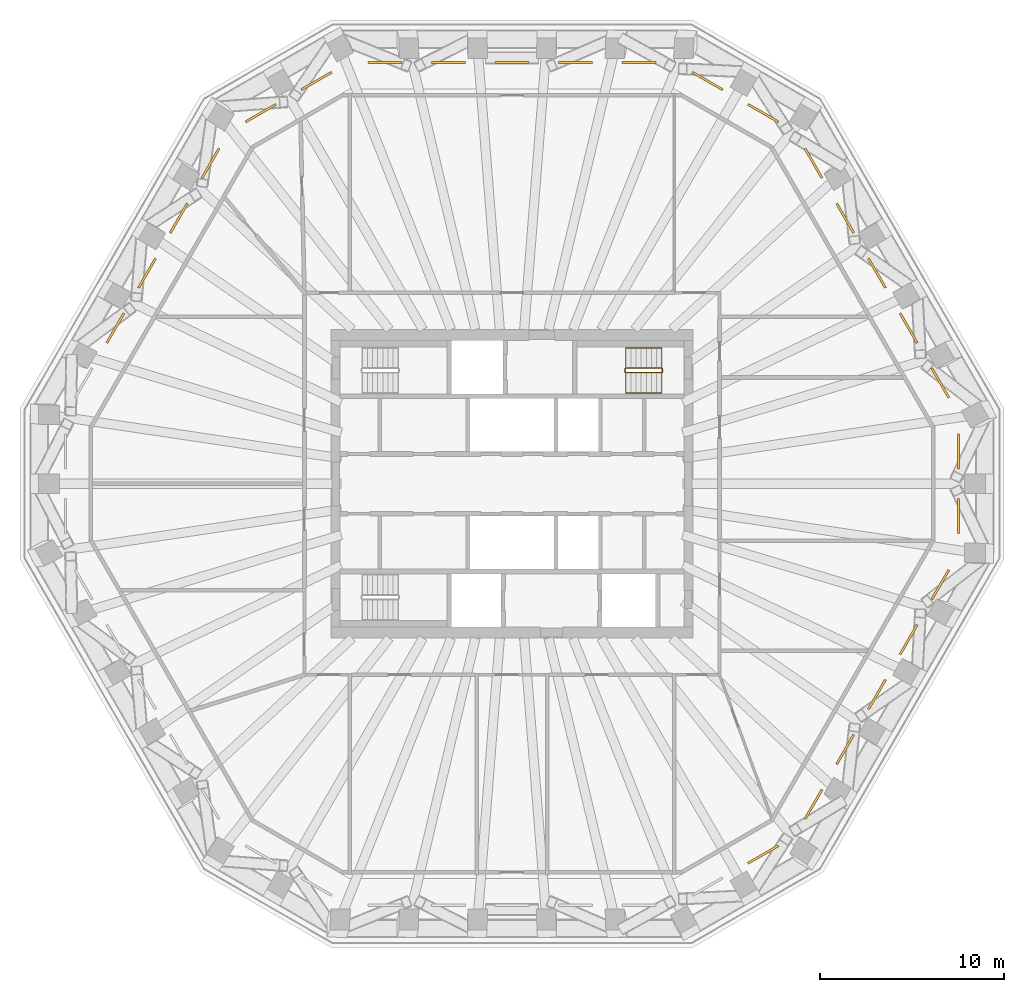
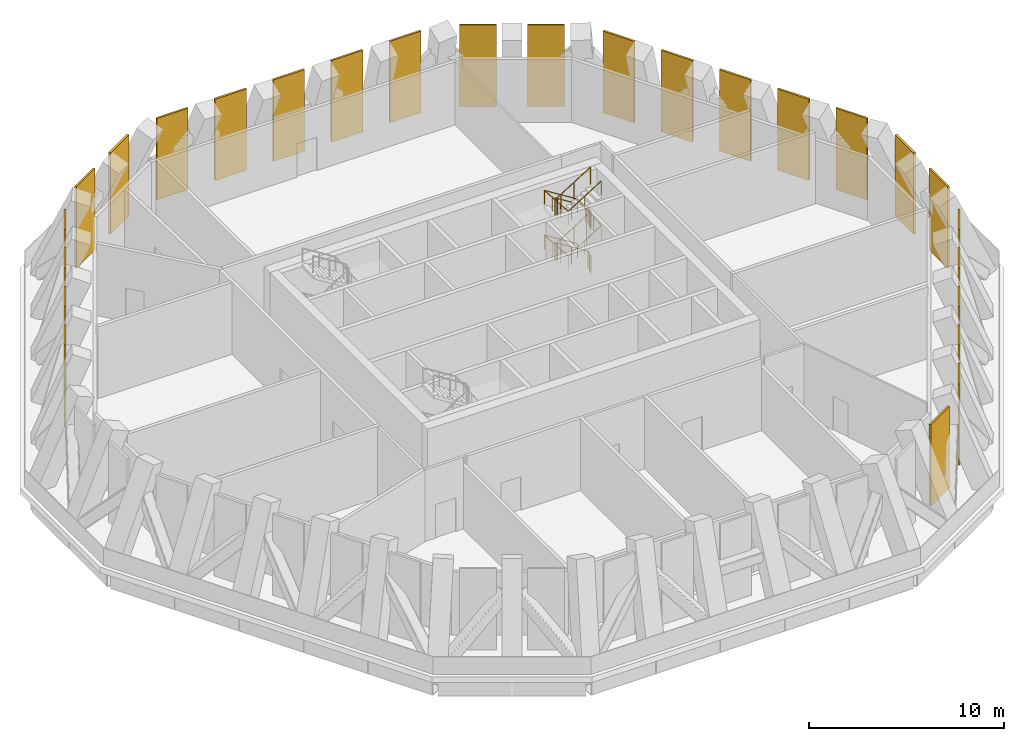
# One storey, part 8 of 8: 26 coverings, 2 railings.
"""IFC4 building model written with IfcOpenShell, lengths in metres."""

from ifc_helpers import new_model, si_unit, direction, frame, origin, origin_2d, place, context, subcontext, project, spatial, polyline, circle, outline, extrude, material, layer, layer_set, type_object, element, save


model = new_model("IFC4")

# Units and contexts
model_context = context("Model", 3, precision=1e-05, world=origin(), true_north=direction((0.0, 1.0)))
body_context = subcontext(model_context, "Body", "Model", "MODEL_VIEW")
ifc_project = project(units=[si_unit("LENGTHUNIT", "METRE"), si_unit("AREAUNIT", "SQUARE_METRE"), si_unit("VOLUMEUNIT", "CUBIC_METRE"), si_unit("PLANEANGLEUNIT", "RADIAN"), si_unit("MASSUNIT", "GRAM", prefix="KILO")], contexts=[model_context])

# Site, building, storey
site_placement = place(None, origin())
site = spatial("IfcSite", under=ifc_project, at=site_placement, CompositionType="ELEMENT")
building_placement = place(site_placement, origin())
building = spatial("IfcBuilding", under=site, at=building_placement, Name="Frailejon Research Tower", CompositionType="ELEMENT")
storey_placement = place(building_placement, frame((0.0, 0.0, 257.39990234375)))
storey = spatial("IfcBuildingStorey", under=building, at=storey_placement, Name="L56", CompositionType="ELEMENT", Elevation=257.39990234375)

# Coverings
ifc_material_1 = material(Name="Anodised aluminium louvres", Category="aluminium")
ifc_layer = layer(ifc_material_1, 0.1201171875)
ifc_layer_set = layer_set([ifc_layer], Name="Plant louvre screen 120")
covering_type = type_object("IfcCoveringType", Name="Plant louvre screen 120", PredefinedType="CLADDING", material=ifc_layer_set)
for number, where, z_axis, x_axis, name in (
    (1, (24.373779296875, -0.800048828125, 0.0), (0.0, -1.0, 0.0), (1.0, 0.0, 0.0), "Plant louvre screen L56"),
    (2, (24.373779296875, 2.701904296875, 0.0), (0.0, -1.0, 0.0), (1.0, 0.0, 0.0), "Plant louvre screen L56"),
):
    element("IfcCovering", number, at=place(storey_placement, frame(where, z_axis=z_axis, x_axis=x_axis)), inside=storey, type_object=covering_type, Name=name, PredefinedType="CLADDING", context=body_context, shape_type="SweptSolid", body=[
        extrude(outline(polyline([(-0.1201171875, 0.0), (0.0, 0.0), (0.0, 5.10009765625), (-0.1201171875, 5.10009765625), (-0.1201171875, 0.0)])), origin(), (0.0, 0.0, 1.0), 1.902099609375),
    ])
for number, where, z_axis, x_axis, name in (
    (3, (22.9072265625, 6.323486328125, 0.0), (0.499996648023, -0.86602733904, 0.0), (0.86602733904, 0.499996648023, 0.0), "Plant louvre screen L56"),
    (4, (21.181396484375, 9.3125, 0.0), (0.499996648023, -0.86602733904, 0.0), (0.86602733904, 0.499996648023, 0.0), "Plant louvre screen L56"),
):
    element("IfcCovering", number, at=place(storey_placement, frame(where, z_axis=z_axis, x_axis=x_axis)), inside=storey, type_object=covering_type, Name=name, PredefinedType="CLADDING", context=body_context, shape_type="SweptSolid", body=[
        extrude(outline(polyline([(-0.1201171875, 0.0), (0.0, 0.0), (0.0, 5.10009765625), (-0.1201171875, 5.10009765625), (-0.1201171875, 0.0)])), origin(), (0.0, 0.0, 1.0), 1.8515625),
    ])
covering_1_placement = place(storey_placement, frame((19.45556640625, 12.3017578125, 0.0), z_axis=(0.500018376809, -0.866014793669, 0.0), x_axis=(0.866014793669, 0.500018376809, 0.0)))
element("IfcCovering", 5, at=covering_1_placement, inside=storey, type_object=covering_type, Name="Plant louvre screen L56", PredefinedType="CLADDING", context=body_context, shape_type="SweptSolid", body=[
    extrude(outline(polyline([(-0.1201171875, 0.0), (0.0, 0.0), (0.0, 5.10009765625), (-0.1201171875, 5.10009765625), (-0.1201171875, 0.0)])), origin(), (0.0, 0.0, 1.0), 1.851806640625),
])
for number, where, z_axis, x_axis, name in (
    (6, (17.729736328125, 15.291015625, 0.0), (0.499996648023, -0.86602733904, 0.0), (0.86602733904, 0.499996648023, 0.0), "Plant louvre screen L56"),
    (7, (16.00390625, 18.2802734375, 0.0), (0.499996648023, -0.86602733904, 0.0), (0.86602733904, 0.499996648023, 0.0), "Plant louvre screen L56"),
):
    element("IfcCovering", number, at=place(storey_placement, frame(where, z_axis=z_axis, x_axis=x_axis)), inside=storey, type_object=covering_type, Name=name, PredefinedType="CLADDING", context=body_context, shape_type="SweptSolid", body=[
        extrude(outline(polyline([(-0.1201171875, 0.0), (0.0, 0.0), (0.0, 5.10009765625), (-0.1201171875, 5.10009765625), (-0.1201171875, 0.0)])), origin(), (0.0, 0.0, 1.0), 1.8515625),
    ])
for number, where, z_axis, x_axis, name in (
    (8, (12.879638671875, 20.708251953125, 0.0), (0.866023907216, -0.500002592124, 0.0), (0.500002592124, 0.866023907216, 0.0), "Plant louvre screen L56"),
    (9, (9.846923828125, 22.459228515625, 0.0), (0.866023907216, -0.500002592124, 0.0), (0.500002592124, 0.866023907216, 0.0), "Plant louvre screen L56"),
):
    element("IfcCovering", number, at=place(storey_placement, frame(where, z_axis=z_axis, x_axis=x_axis)), inside=storey, type_object=covering_type, Name=name, PredefinedType="CLADDING", context=body_context, shape_type="SweptSolid", body=[
        extrude(outline(polyline([(-0.1201171875, 0.0), (0.0, 0.0), (0.0, 5.10009765625), (-0.1201171875, 5.10009765625), (-0.1201171875, 0.0)])), origin(), (0.0, 0.0, 1.0), 1.902099609375),
    ])
covering_2_placement = place(storey_placement, frame((5.9775390625, 23.0, 0.0), z_axis=(1.0, 0.0, 0.0), x_axis=(0.0, 1.0, 0.0)))
element("IfcCovering", 10, at=covering_2_placement, inside=storey, type_object=covering_type, Name="Plant louvre screen L56", PredefinedType="CLADDING", context=body_context, shape_type="SweptSolid", body=[
    extrude(outline(polyline([(-0.1201171875, 0.0), (0.0, 0.0), (0.0, 5.10009765625), (-0.1201171875, 5.10009765625), (-0.1201171875, 0.0)])), origin(), (0.0, 0.0, 1.0), 1.8515625),
])
covering_3_placement = place(storey_placement, frame((2.52587890625, 23.0, 0.0), z_axis=(1.0, 0.0, 0.0), x_axis=(0.0, 1.0, 0.0)))
element("IfcCovering", 11, at=covering_3_placement, inside=storey, type_object=covering_type, Name="Plant louvre screen L56", PredefinedType="CLADDING", context=body_context, shape_type="SweptSolid", body=[
    extrude(outline(polyline([(-0.1201171875, 0.0), (0.0, 0.0), (0.0, 5.10009765625), (-0.1201171875, 5.10009765625), (-0.1201171875, 0.0)])), origin(), (0.0, 0.0, 1.0), 1.851806640625),
])
covering_4_placement = place(storey_placement, frame((-0.92578125, 23.0, 0.0), z_axis=(1.0, 0.0, 0.0), x_axis=(0.0, 1.0, 0.0)))
element("IfcCovering", 12, at=covering_4_placement, inside=storey, type_object=covering_type, Name="Plant louvre screen L56", PredefinedType="CLADDING", context=body_context, shape_type="SweptSolid", body=[
    extrude(outline(polyline([(-0.1201171875, 0.0), (0.0, 0.0), (0.0, 5.10009765625), (-0.1201171875, 5.10009765625), (-0.1201171875, 0.0)])), origin(), (0.0, 0.0, 1.0), 1.8515625),
])
covering_5_placement = place(storey_placement, frame((-4.37744140625, 23.0, 0.0), z_axis=(1.0, 0.0, 0.0), x_axis=(0.0, 1.0, 0.0)))
element("IfcCovering", 13, at=covering_5_placement, inside=storey, type_object=covering_type, Name="Plant louvre screen L56", PredefinedType="CLADDING", context=body_context, shape_type="SweptSolid", body=[
    extrude(outline(polyline([(-0.1201171875, 0.0), (0.0, 0.0), (0.0, 5.10009765625), (-0.1201171875, 5.10009765625), (-0.1201171875, 0.0)])), origin(), (0.0, 0.0, 1.0), 1.851806640625),
])
covering_6_placement = place(storey_placement, frame((-7.8291015625, 23.0, 0.0), z_axis=(1.0, 0.0, 0.0), x_axis=(0.0, 1.0, 0.0)))
element("IfcCovering", 14, at=covering_6_placement, inside=storey, type_object=covering_type, Name="Plant louvre screen L56", PredefinedType="CLADDING", context=body_context, shape_type="SweptSolid", body=[
    extrude(outline(polyline([(-0.1201171875, 0.0), (0.0, 0.0), (0.0, 5.10009765625), (-0.1201171875, 5.10009765625), (-0.1201171875, 0.0)])), origin(), (0.0, 0.0, 1.0), 1.8515625),
])
for number, where, z_axis, x_axis, name in (
    (15, (-11.494140625, 21.50830078125, 0.0), (0.866023907216, 0.500002592124, 0.0), (-0.500002592124, 0.866023907216, 0.0), "Plant louvre screen L56"),
    (16, (-14.52685546875, 19.75732421875, 0.0), (0.866023907216, 0.500002592124, 0.0), (-0.500002592124, 0.866023907216, 0.0), "Plant louvre screen L56"),
):
    element("IfcCovering", number, at=place(storey_placement, frame(where, z_axis=z_axis, x_axis=x_axis)), inside=storey, type_object=covering_type, Name=name, PredefinedType="CLADDING", context=body_context, shape_type="SweptSolid", body=[
        extrude(outline(polyline([(-0.1201171875, 0.0), (0.0, 0.0), (0.0, 5.10009765625), (-0.1201171875, 5.10009765625), (-0.1201171875, 0.0)])), origin(), (0.0, 0.0, 1.0), 1.902099609375),
    ])
for number, where, z_axis, x_axis, name in (
    (17, (-16.9296875, 16.676513671875, 0.0), (0.499996648023, 0.86602733904, 0.0), (-0.86602733904, 0.499996648023, 0.0), "Plant louvre screen L56"),
    (18, (-18.655517578125, 13.6875, 0.0), (0.499996648023, 0.86602733904, 0.0), (-0.86602733904, 0.499996648023, 0.0), "Plant louvre screen L56"),
):
    element("IfcCovering", number, at=place(storey_placement, frame(where, z_axis=z_axis, x_axis=x_axis)), inside=storey, type_object=covering_type, Name=name, PredefinedType="CLADDING", context=body_context, shape_type="SweptSolid", body=[
        extrude(outline(polyline([(-0.1201171875, 0.0), (0.0, 0.0), (0.0, 5.10009765625), (-0.1201171875, 5.10009765625), (-0.1201171875, 0.0)])), origin(), (0.0, 0.0, 1.0), 1.8515625),
    ])
covering_7_placement = place(storey_placement, frame((-20.381591796875, 10.6982421875, 0.0), z_axis=(0.500018376809, 0.866014793669, 0.0), x_axis=(-0.866014793669, 0.500018376809, 0.0)))
element("IfcCovering", 19, at=covering_7_placement, inside=storey, type_object=covering_type, Name="Plant louvre screen L56", PredefinedType="CLADDING", context=body_context, shape_type="SweptSolid", body=[
    extrude(outline(polyline([(-0.1201171875, 0.0), (0.0, 0.0), (0.0, 5.10009765625), (-0.1201171875, 5.10009765625), (-0.1201171875, 0.0)])), origin(), (0.0, 0.0, 1.0), 1.851806640625),
])
covering_8_placement = place(storey_placement, frame((-22.107421875, 7.708984375, 0.0), z_axis=(0.499996648023, 0.86602733904, 0.0), x_axis=(-0.86602733904, 0.499996648023, 0.0)))
element("IfcCovering", 20, at=covering_8_placement, inside=storey, type_object=covering_type, Name="Plant louvre screen L56", PredefinedType="CLADDING", context=body_context, shape_type="SweptSolid", body=[
    extrude(outline(polyline([(-0.1201171875, 0.0), (0.0, 0.0), (0.0, 5.10009765625), (-0.1201171875, 5.10009765625), (-0.1201171875, 0.0)])), origin(), (0.0, 0.0, 1.0), 1.8515625),
])
covering_9_placement = place(storey_placement, frame((14.52685546875, -19.75732421875, 0.0), z_axis=(-0.866023907216, -0.500002592124, 0.0), x_axis=(0.500002592124, -0.866023907216, 0.0)))
element("IfcCovering", 21, at=covering_9_placement, inside=storey, type_object=covering_type, Name="Plant louvre screen L56", PredefinedType="CLADDING", context=body_context, shape_type="SweptSolid", body=[
    extrude(outline(polyline([(-0.1201171875, 0.0), (0.0, 0.0), (0.0, 5.10009765625), (-0.1201171875, 5.10009765625), (-0.1201171875, 0.0)])), origin(), (0.0, 0.0, 1.0), 1.902099609375),
])
for number, where, z_axis, x_axis, name in (
    (22, (16.9296875, -16.676513671875, 0.0), (-0.499996648023, -0.86602733904, 0.0), (0.86602733904, -0.499996648023, 0.0), "Plant louvre screen L56"),
    (23, (18.655517578125, -13.6875, 0.0), (-0.499996648023, -0.86602733904, 0.0), (0.86602733904, -0.499996648023, 0.0), "Plant louvre screen L56"),
):
    element("IfcCovering", number, at=place(storey_placement, frame(where, z_axis=z_axis, x_axis=x_axis)), inside=storey, type_object=covering_type, Name=name, PredefinedType="CLADDING", context=body_context, shape_type="SweptSolid", body=[
        extrude(outline(polyline([(-0.1201171875, 0.0), (0.0, 0.0), (0.0, 5.10009765625), (-0.1201171875, 5.10009765625), (-0.1201171875, 0.0)])), origin(), (0.0, 0.0, 1.0), 1.8515625),
    ])
covering_10_placement = place(storey_placement, frame((20.381591796875, -10.6982421875, 0.0), z_axis=(-0.500018376809, -0.866014793669, 0.0), x_axis=(0.866014793669, -0.500018376809, 0.0)))
element("IfcCovering", 24, at=covering_10_placement, inside=storey, type_object=covering_type, Name="Plant louvre screen L56", PredefinedType="CLADDING", context=body_context, shape_type="SweptSolid", body=[
    extrude(outline(polyline([(-0.1201171875, 0.0), (0.0, 0.0), (0.0, 5.10009765625), (-0.1201171875, 5.10009765625), (-0.1201171875, 0.0)])), origin(), (0.0, 0.0, 1.0), 1.851806640625),
])
for number, where, z_axis, x_axis, name in (
    (25, (22.107421875, -7.708984375, 0.0), (-0.499996648023, -0.86602733904, 0.0), (0.86602733904, -0.499996648023, 0.0), "Plant louvre screen L56"),
    (26, (23.8330078125, -4.7197265625, 0.0), (-0.499996648023, -0.86602733904, 0.0), (0.86602733904, -0.499996648023, 0.0), "Plant louvre screen L56"),
):
    element("IfcCovering", number, at=place(storey_placement, frame(where, z_axis=z_axis, x_axis=x_axis)), inside=storey, type_object=covering_type, Name=name, PredefinedType="CLADDING", context=body_context, shape_type="SweptSolid", body=[
        extrude(outline(polyline([(-0.1201171875, 0.0), (0.0, 0.0), (0.0, 5.10009765625), (-0.1201171875, 5.10009765625), (-0.1201171875, 0.0)])), origin(), (0.0, 0.0, 1.0), 1.8515625),
    ])

# Railings
ifc_material_2 = material(Name="Stainless steel", Category="steel")
railing_type_1 = type_object("IfcRailingType", Name="Stair guard 1100", PredefinedType="GUARDRAIL", material=ifc_material_2)
railing_1_placement = place(storey_placement, frame((8.199951171875, 6.10009765625, 0.0)))
element("IfcRailing", 27, at=railing_1_placement, inside=storey, type_object=railing_type_1, Name="L56 ST3 stair guard 1", PredefinedType="GUARDRAIL", context=body_context, shape_type="SweptSolid", body=[
    extrude(circle(Radius=0.02392578125, at=origin_2d()), frame((0.0, 0.0, 1.076171875), z_axis=(0.0, 1.0, 0.0), x_axis=(-1.0, 0.0, 0.0)), (0.0, 0.0, 1.0), 0.14990234375),
    extrude(circle(Radius=0.02392578125, at=origin_2d()), frame((0.0, 0.14990234375, 1.076171875), z_axis=(-0.265065253269, 0.265065253269, 0.927081885822), x_axis=(-0.707106781187, -0.707106781187, 0.0)), (0.0, 0.0, 1.0), 0.188720703125),
    extrude(circle(Radius=0.02392578125, at=origin_2d()), frame((-0.050048828125, 0.199951171875, 1.2509765625), z_axis=(-0.847974566722, 0.0, 0.530036917764), x_axis=(0.0, -1.0, 0.0)), (0.0, 0.0, 1.0), 2.311279296875),
    extrude(circle(Radius=0.02392578125, at=origin_2d()), frame((-2.010009765625, 0.199951171875, 2.47607421875), z_axis=(-0.707106781187, -0.707106781187, 0.0), x_axis=(0.707106781187, -0.707106781187, 0.0)), (0.0, 0.0, 1.0), 0.07080078125),
    extrude(circle(Radius=0.02392578125, at=origin_2d()), frame((-2.06005859375, 0.14990234375, 2.47607421875), z_axis=(0.0, -1.0, 0.0), x_axis=(1.0, 0.0, 0.0)), (0.0, 0.0, 1.0), 0.14990234375),
    extrude(circle(Radius=0.02392578125, at=origin_2d()), frame((-2.06005859375, 0.0, 2.47607421875), z_axis=(0.265065253269, -0.265065253269, 0.927081885822), x_axis=(0.707106781187, 0.707106781187, 0.0)), (0.0, 0.0, 1.0), 0.188720703125),
    extrude(circle(Radius=0.02392578125, at=origin_2d()), frame((-2.010009765625, -0.050048828125, 2.6513671875), z_axis=(0.848022040916, 0.0, 0.529960959053), x_axis=(0.0, 1.0, 0.0)), (0.0, 0.0, 1.0), 2.311279296875),
    extrude(circle(Radius=0.02392578125, at=origin_2d()), frame((-0.050048828125, -0.050048828125, 3.8759765625), z_axis=(0.707106781187, 0.707106781187, 0.0), x_axis=(-0.707106781187, 0.707106781187, 0.0)), (0.0, 0.0, 1.0), 0.07080078125),
    extrude(circle(Radius=0.02392578125, at=origin_2d()), frame((0.0, 0.0, 3.8759765625), z_axis=(0.0, 1.0, 0.0), x_axis=(-1.0, 0.0, 0.0)), (0.0, 0.0, 1.0), 0.14990234375),
    extrude(circle(Radius=0.02392578125, at=origin_2d()), frame((0.0, 0.14990234375, 3.8759765625), z_axis=(-0.265065253269, 0.265065253269, 0.927081885822), x_axis=(-0.707106781187, -0.707106781187, 0.0)), (0.0, 0.0, 1.0), 0.188720703125),
    extrude(circle(Radius=0.02392578125, at=origin_2d()), frame((-0.050048828125, 0.199951171875, 4.05126953125), z_axis=(-0.847974566722, 0.0, 0.530036917764), x_axis=(0.0, -1.0, 0.0)), (0.0, 0.0, 1.0), 2.311279296875),
    extrude(circle(Radius=0.02392578125, at=origin_2d()), frame((-2.010009765625, 0.199951171875, 5.2763671875), z_axis=(-0.707106781187, -0.707106781187, 0.0), x_axis=(0.707106781187, -0.707106781187, 0.0)), (0.0, 0.0, 1.0), 0.07080078125),
    extrude(circle(Radius=0.02392578125, at=origin_2d()), frame((-2.06005859375, 0.14990234375, 5.2763671875), z_axis=(0.0, -1.0, 0.0), x_axis=(1.0, 0.0, 0.0)), (0.0, 0.0, 1.0), 0.14990234375),
    extrude(circle(Radius=0.02392578125, at=origin_2d()), frame((-2.06005859375, 0.0, 5.2763671875), z_axis=(0.265383341853, -0.265383341853, 0.926899867156), x_axis=(0.707106781187, 0.707106781187, 0.0)), (0.0, 0.0, 1.0), 0.1884765625),
    extrude(circle(Radius=0.02392578125, at=origin_2d()), frame((-2.010009765625, -0.050048828125, 5.451171875), z_axis=(0.847974566722, 0.0, 0.530036917764), x_axis=(0.0, 1.0, 0.0)), (0.0, 0.0, 1.0), 2.311279296875),
    extrude(circle(Radius=0.02099609375, at=origin_2d()), origin(), (0.0, 0.0, 1.0), 1.052001953125),
    extrude(circle(Radius=0.02099609375, at=origin_2d()), frame((0.0, 0.14990234375, 0.0)), (0.0, 0.0, 1.0), 1.052001953125),
    extrude(circle(Radius=0.02099609375, at=origin_2d()), frame((-0.050048828125, 0.199951171875, 0.175048828125)), (0.0, 0.0, 1.0), 1.052001953125),
    extrude(circle(Radius=0.02099609375, at=origin_2d()), frame((-1.030029296875, 0.199951171875, 0.78759765625)), (0.0, 0.0, 1.0), 1.052001953125),
    extrude(circle(Radius=0.02099609375, at=origin_2d()), frame((-2.010009765625, 0.199951171875, 1.400146484375)), (0.0, 0.0, 1.0), 1.052001953125),
    extrude(circle(Radius=0.02099609375, at=origin_2d()), frame((-2.06005859375, 0.14990234375, 1.400146484375)), (0.0, 0.0, 1.0), 1.052001953125),
    extrude(circle(Radius=0.02099609375, at=origin_2d()), frame((-2.06005859375, 0.0, 1.400146484375)), (0.0, 0.0, 1.0), 1.052001953125),
    extrude(circle(Radius=0.02099609375, at=origin_2d()), frame((-2.010009765625, -0.050048828125, 1.5751953125)), (0.0, 0.0, 1.0), 1.052001953125),
    extrude(circle(Radius=0.02099609375, at=origin_2d()), frame((-1.030029296875, -0.050048828125, 2.1875)), (0.0, 0.0, 1.0), 1.052001953125),
    extrude(circle(Radius=0.02099609375, at=origin_2d()), frame((-0.050048828125, -0.050048828125, 2.800048828125)), (0.0, 0.0, 1.0), 1.052001953125),
    extrude(circle(Radius=0.02099609375, at=origin_2d()), frame((0.0, 0.0, 2.800048828125)), (0.0, 0.0, 1.0), 1.052001953125),
    extrude(circle(Radius=0.02099609375, at=origin_2d()), frame((0.0, 0.14990234375, 2.800048828125)), (0.0, 0.0, 1.0), 1.052001953125),
    extrude(circle(Radius=0.02099609375, at=origin_2d()), frame((-0.050048828125, 0.199951171875, 2.97509765625)), (0.0, 0.0, 1.0), 1.052001953125),
    extrude(circle(Radius=0.02099609375, at=origin_2d()), frame((-1.030029296875, 0.199951171875, 3.587646484375)), (0.0, 0.0, 1.0), 1.052001953125),
    extrude(circle(Radius=0.02099609375, at=origin_2d()), frame((-2.010009765625, 0.199951171875, 4.2001953125)), (0.0, 0.0, 1.0), 1.052001953125),
    extrude(circle(Radius=0.02099609375, at=origin_2d()), frame((-2.06005859375, 0.14990234375, 4.2001953125)), (0.0, 0.0, 1.0), 1.052001953125),
    extrude(circle(Radius=0.02099609375, at=origin_2d()), frame((-2.06005859375, 0.0, 4.2001953125)), (0.0, 0.0, 1.0), 1.052001953125),
    extrude(circle(Radius=0.02099609375, at=origin_2d()), frame((-2.010009765625, -0.050048828125, 4.375)), (0.0, 0.0, 1.0), 1.052001953125),
    extrude(circle(Radius=0.02099609375, at=origin_2d()), frame((-1.030029296875, -0.050048828125, 4.987548828125)), (0.0, 0.0, 1.0), 1.052001953125),
    extrude(circle(Radius=0.02099609375, at=origin_2d()), frame((-0.050048828125, -0.050048828125, 5.60009765625)), (0.0, 0.0, 1.0), 1.052001953125),
])
ifc_material_3 = material(Name="Stainless steel", Category="steel")
railing_type_2 = type_object("IfcRailingType", Name="Stair handrail 900", PredefinedType="HANDRAIL", material=ifc_material_3)
railing_2_placement = place(storey_placement, frame((8.14990234375, 7.39990234375, 0.175048828125)))
element("IfcRailing", 28, at=railing_2_placement, inside=storey, type_object=railing_type_2, Name="L56 ST3 stair handrail 1", PredefinedType="HANDRAIL", context=body_context, shape_type="SweptSolid", body=[
    extrude(circle(Radius=0.02392578125, at=origin_2d()), frame((0.0, 0.0, 0.8759765625), z_axis=(-0.847974566722, 0.0, 0.530036917764), x_axis=(0.0, -1.0, 0.0)), (0.0, 0.0, 1.0), 2.311279296875),
    extrude(circle(Radius=0.02392578125, at=origin_2d()), frame((-1.9599609375, 0.0, 2.10107421875), z_axis=(0.0, -0.997457185933, 0.071268241387), x_axis=(1.0, 0.0, 0.0)), (0.0, 0.0, 1.0), 2.456298828125),
    extrude(circle(Radius=0.02392578125, at=origin_2d()), frame((-1.9599609375, -2.449951171875, 2.27587890625), z_axis=(0.848022040916, 0.0, 0.529960959053), x_axis=(0.0, 1.0, 0.0)), (0.0, 0.0, 1.0), 2.311279296875),
    extrude(circle(Radius=0.02392578125, at=origin_2d()), frame((0.0, -2.449951171875, 3.5009765625), z_axis=(0.0, 0.997457185933, 0.071268241387), x_axis=(-1.0, 0.0, 0.0)), (0.0, 0.0, 1.0), 2.456298828125),
    extrude(circle(Radius=0.02392578125, at=origin_2d()), frame((0.0, 0.0, 3.67578125), z_axis=(-0.847974566722, 0.0, 0.530036917764), x_axis=(0.0, -1.0, 0.0)), (0.0, 0.0, 1.0), 2.311279296875),
    extrude(circle(Radius=0.02392578125, at=origin_2d()), frame((-1.9599609375, 0.0, 4.90087890625), z_axis=(0.0, -0.997464246976, 0.071169347368), x_axis=(1.0, 0.0, 0.0)), (0.0, 0.0, 1.0), 2.456298828125),
    extrude(circle(Radius=0.02392578125, at=origin_2d()), frame((-1.9599609375, -2.449951171875, 5.07568359375), z_axis=(0.847974566722, 0.0, 0.530036917764), x_axis=(0.0, 1.0, 0.0)), (0.0, 0.0, 1.0), 2.311279296875),
    extrude(circle(Radius=0.02099609375, at=origin_2d()), origin(), (0.0, 0.0, 1.0), 0.851806640625),
    extrude(circle(Radius=0.02099609375, at=origin_2d()), frame((-0.97998046875, 0.0, 0.612548828125)), (0.0, 0.0, 1.0), 0.851806640625),
    extrude(circle(Radius=0.02099609375, at=origin_2d()), frame((-1.9599609375, 0.0, 1.22509765625)), (0.0, 0.0, 1.0), 0.851806640625),
    extrude(circle(Radius=0.02099609375, at=origin_2d()), frame((-1.9599609375, -0.816650390625, 1.283447265625)), (0.0, 0.0, 1.0), 0.851806640625),
    extrude(circle(Radius=0.02099609375, at=origin_2d()), frame((-1.9599609375, -1.63330078125, 1.341796875)), (0.0, 0.0, 1.0), 0.851806640625),
    extrude(circle(Radius=0.02099609375, at=origin_2d()), frame((-1.9599609375, -2.449951171875, 1.400146484375)), (0.0, 0.0, 1.0), 0.851806640625),
    extrude(circle(Radius=0.02099609375, at=origin_2d()), frame((-0.97998046875, -2.449951171875, 2.0126953125)), (0.0, 0.0, 1.0), 0.851806640625),
    extrude(circle(Radius=0.02099609375, at=origin_2d()), frame((0.0, -2.449951171875, 2.625)), (0.0, 0.0, 1.0), 0.851806640625),
    extrude(circle(Radius=0.02099609375, at=origin_2d()), frame((0.0, -1.63330078125, 2.683349609375)), (0.0, 0.0, 1.0), 0.851806640625),
    extrude(circle(Radius=0.02099609375, at=origin_2d()), frame((0.0, -0.816650390625, 2.74169921875)), (0.0, 0.0, 1.0), 0.851806640625),
    extrude(circle(Radius=0.02099609375, at=origin_2d()), frame((0.0, 0.0, 2.800048828125)), (0.0, 0.0, 1.0), 0.851806640625),
    extrude(circle(Radius=0.02099609375, at=origin_2d()), frame((-0.97998046875, 0.0, 3.41259765625)), (0.0, 0.0, 1.0), 0.851806640625),
    extrude(circle(Radius=0.02099609375, at=origin_2d()), frame((-1.9599609375, 0.0, 4.025146484375)), (0.0, 0.0, 1.0), 0.851806640625),
    extrude(circle(Radius=0.02099609375, at=origin_2d()), frame((-1.9599609375, -0.816650390625, 4.08349609375)), (0.0, 0.0, 1.0), 0.851806640625),
    extrude(circle(Radius=0.02099609375, at=origin_2d()), frame((-1.9599609375, -1.63330078125, 4.1416015625)), (0.0, 0.0, 1.0), 0.851806640625),
    extrude(circle(Radius=0.02099609375, at=origin_2d()), frame((-1.9599609375, -2.449951171875, 4.199951171875)), (0.0, 0.0, 1.0), 0.851806640625),
    extrude(circle(Radius=0.02099609375, at=origin_2d()), frame((-0.97998046875, -2.449951171875, 4.8125)), (0.0, 0.0, 1.0), 0.851806640625),
    extrude(circle(Radius=0.02099609375, at=origin_2d()), frame((0.0, -2.449951171875, 5.425048828125)), (0.0, 0.0, 1.0), 0.851806640625),
])

save(model, "model.ifc")
